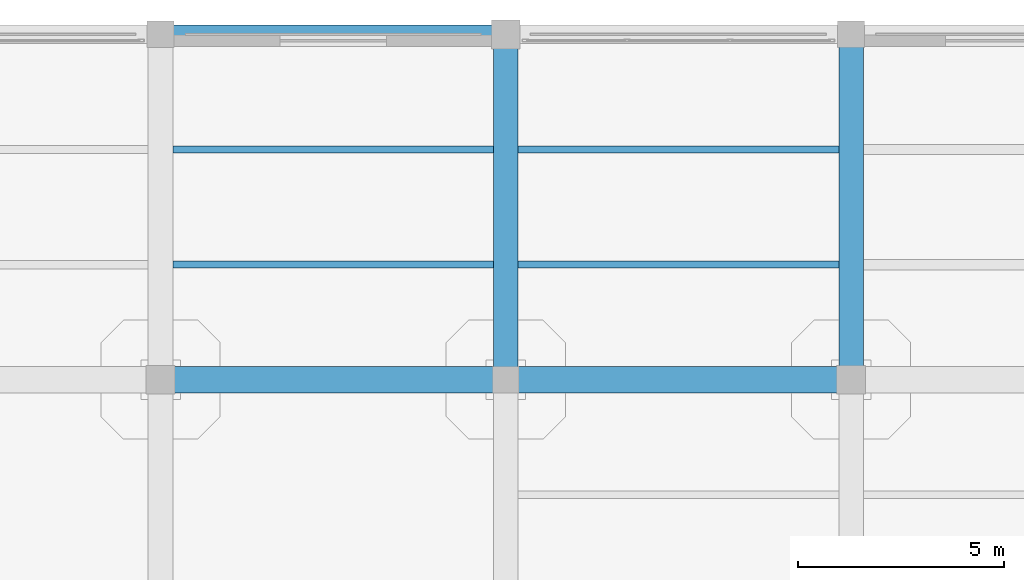
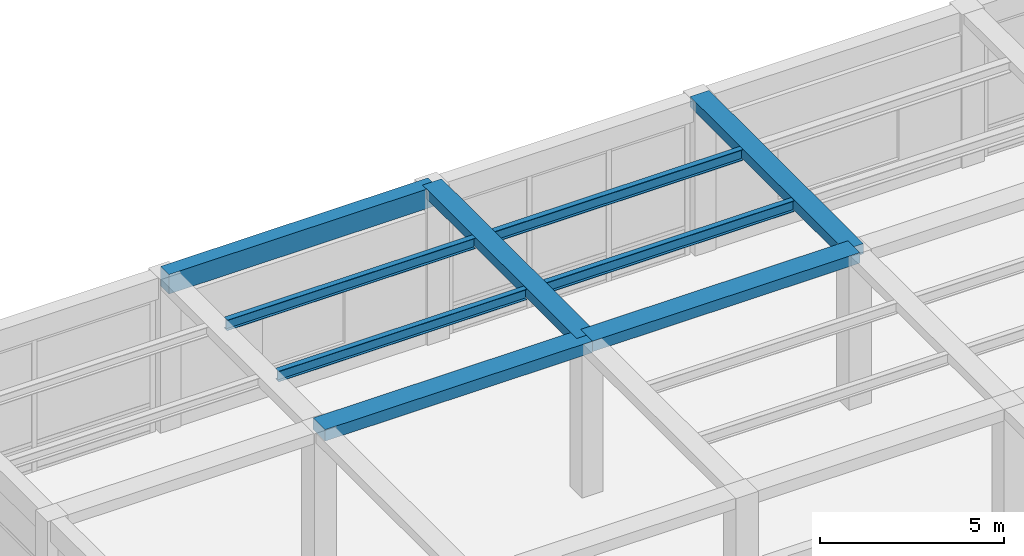
# One storey, part 36 of 96: 9 beams.
"""IFC4 building model written with IfcOpenShell, lengths in metres."""

from ifc_helpers import new_model, si_unit, direction, frame, origin, origin_2d, place, context, subcontext, project, spatial, rectangle, i_section, extrude, material, material_profile, profile_set, type_object, element, save


model = new_model("IFC4")

# Units and contexts
model_context = context("Model", 3, precision=1e-05, world=origin(), true_north=direction((0.0, 1.0)))
body_context = subcontext(model_context, "Body", "Model", "MODEL_VIEW")
ifc_project = project(units=[si_unit("LENGTHUNIT", "METRE"), si_unit("AREAUNIT", "SQUARE_METRE"), si_unit("VOLUMEUNIT", "CUBIC_METRE"), si_unit("PLANEANGLEUNIT", "RADIAN"), si_unit("MASSUNIT", "GRAM", prefix="KILO")], contexts=[model_context])

# Site, building, storey
site_placement = place(None, origin())
site = spatial("IfcSite", under=ifc_project, at=site_placement, CompositionType="ELEMENT")
building_placement = place(site_placement, origin())
building = spatial("IfcBuilding", under=site, at=building_placement, Name="Almacenes y Pasaje Nevantli", CompositionType="ELEMENT")
storey_placement = place(building_placement, frame((0.0, 0.0, 6.0)))
storey = spatial("IfcBuildingStorey", under=building, at=storey_placement, Name="L02", CompositionType="ELEMENT", Elevation=6.0)

# Beams
ifc_material_1 = material(Name="Concrete C35/45", Category="concrete")
ifc_material_profile_1 = material_profile(ifc_material_1, rectangle(XDim=0.449951171875, YDim=0.64990234375, at=origin_2d()), Name="RC-BM-450x650")
ifc_profile_set_1 = profile_set([ifc_material_profile_1], Name="Concrete C35/45")
beam_type_1 = type_object("IfcBeamType", Name="BM-RC-450x650", PredefinedType="SPANDREL", material=ifc_profile_set_1)
beam_1_placement = place(storey_placement, frame((8.39990234375, 117.60009765625, 4.77490234375), z_axis=(1.0, 0.0, 0.0), x_axis=(0.0, 1.0, 0.0)))
element("IfcBeam", 1, at=beam_1_placement, inside=storey, type_object=beam_type_1, Name="L02 East-West Reinforced Concrete Beam #1947", PredefinedType="SPANDREL", context=body_context, shape_type="SweptSolid", body=[
    extrude(rectangle(XDim=0.449951171875, YDim=0.64990234375, at=origin_2d()), origin(), (0.0, 0.0, 1.0), 8.400146484375),
])
ifc_material_2 = material(Name="Concrete C35/45", Category="concrete")
ifc_material_profile_2 = material_profile(ifc_material_2, rectangle(XDim=0.60009765625, YDim=0.320068359375, at=origin_2d()), Name="RC-BM-600x320")
ifc_profile_set_2 = profile_set([ifc_material_profile_2], Name="Concrete C35/45")
beam_type_2 = type_object("IfcBeamType", Name="BM-RC-600x320", PredefinedType="BEAM", material=ifc_profile_set_2)
beam_2_placement = place(storey_placement, frame((16.800048828125, 109.199951171875, 4.93994140625), z_axis=(0.0, 1.0, 0.0), x_axis=(-1.0, 0.0, 0.0)))
element("IfcBeam", 2, at=beam_2_placement, inside=storey, type_object=beam_type_2, Name="L02 North-South Reinforced Concrete Beam #1996", PredefinedType="BEAM", context=body_context, shape_type="SweptSolid", body=[
    extrude(rectangle(XDim=0.60009765625, YDim=0.320068359375, at=origin_2d()), origin(), (0.0, 0.0, 1.0), 8.400146484375),
])
ifc_material_3 = material(Name="Concrete C35/45", Category="concrete")
ifc_material_profile_3 = material_profile(ifc_material_3, rectangle(XDim=0.60009765625, YDim=0.340087890625, at=origin_2d()), Name="RC-BM-600x340")
ifc_profile_set_3 = profile_set([ifc_material_profile_3], Name="Concrete C35/45")
beam_type_3 = type_object("IfcBeamType", Name="BM-RC-600x340", PredefinedType="BEAM", material=ifc_profile_set_3)
beam_3_placement = place(storey_placement, frame((25.199951171875, 109.199951171875, 4.929931640625), z_axis=(0.0, 1.0, 0.0), x_axis=(-1.0, 0.0, 0.0)))
element("IfcBeam", 3, at=beam_3_placement, inside=storey, type_object=beam_type_3, Name="L02 North-South Reinforced Concrete Beam #2010", PredefinedType="BEAM", context=body_context, shape_type="SweptSolid", body=[
    extrude(rectangle(XDim=0.60009765625, YDim=0.340087890625, at=origin_2d()), origin(), (0.0, 0.0, 1.0), 8.400146484375),
])
ifc_material_4 = material(Name="Concrete C35/45", Category="concrete")
ifc_material_profile_4 = material_profile(ifc_material_4, rectangle(XDim=0.64990234375, YDim=0.35009765625, at=origin_2d()), Name="RC-BM-650x350")
ifc_profile_set_4 = profile_set([ifc_material_profile_4], Name="Concrete C35/45")
beam_type_4 = type_object("IfcBeamType", Name="BM-RC-650x350", PredefinedType="BEAM", material=ifc_profile_set_4)
beam_4_placement = place(storey_placement, frame((16.800048828125, 109.199951171875, 4.925048828125), z_axis=(1.0, 0.0, 0.0), x_axis=(0.0, 1.0, 0.0)))
element("IfcBeam", 4, at=beam_4_placement, inside=storey, type_object=beam_type_4, Name="L02 East-West Reinforced Concrete Beam #1931", PredefinedType="BEAM", context=body_context, shape_type="SweptSolid", body=[
    extrude(rectangle(XDim=0.64990234375, YDim=0.35009765625, at=origin_2d()), origin(), (0.0, 0.0, 1.0), 8.39990234375),
])
ifc_material_5 = material(Name="Concrete C35/45", Category="concrete")
ifc_material_profile_5 = material_profile(ifc_material_5, rectangle(XDim=0.64990234375, YDim=0.3798828125, at=origin_2d()), Name="RC-BM-650x380")
ifc_profile_set_5 = profile_set([ifc_material_profile_5], Name="Concrete C35/45")
beam_type_5 = type_object("IfcBeamType", Name="BM-RC-650x380", PredefinedType="BEAM", material=ifc_profile_set_5)
beam_5_placement = place(storey_placement, frame((8.39990234375, 109.199951171875, 4.909912109375), z_axis=(1.0, 0.0, 0.0), x_axis=(0.0, 1.0, 0.0)))
element("IfcBeam", 5, at=beam_5_placement, inside=storey, type_object=beam_type_5, Name="L02 East-West Reinforced Concrete Beam #1930", PredefinedType="BEAM", context=body_context, shape_type="SweptSolid", body=[
    extrude(rectangle(XDim=0.64990234375, YDim=0.3798828125, at=origin_2d()), origin(), (0.0, 0.0, 1.0), 8.400146484375),
])
ifc_material_6 = material(Name="Steel ASTM A992", Category="steel")
ifc_material_profile_6 = material_profile(ifc_material_6, i_section(OverallWidth=0.173095703125, OverallDepth=0.35302734375, WebThickness=0.0078125, FlangeThickness=0.01318359375, at=origin_2d()), Name="IR 356x56.6")
ifc_profile_set_6 = profile_set([ifc_material_profile_6], Name="Steel ASTM A992")
beam_type_6 = type_object("IfcBeamType", Name="BM-STL-IR-356x56p6", PredefinedType="JOIST", material=ifc_profile_set_6)
for number, where, z_axis, x_axis, name in (
    (6, (8.699951171875, 112.0, 4.91552734375), (1.0, 0.0, 0.0), (0.0, 1.0, 0.0), "L02 Secondary Steel Floor Joist #341"),
    (7, (8.699951171875, 114.800048828125, 4.91552734375), (1.0, 0.0, 0.0), (0.0, 1.0, 0.0), "L02 Secondary Steel Floor Joist #342"),
):
    element("IfcBeam", number, at=place(storey_placement, frame(where, z_axis=z_axis, x_axis=x_axis)), inside=storey, type_object=beam_type_6, Name=name, PredefinedType="JOIST", context=body_context, shape_type="SweptSolid", body=[
        extrude(i_section(OverallWidth=0.173095703125, OverallDepth=0.35302734375, WebThickness=0.0078125, FlangeThickness=0.01318359375, at=origin_2d()), origin(), (0.0, 0.0, 1.0), 7.800048828125),
    ])
ifc_material_7 = material(Name="Steel ASTM A992", Category="steel")
ifc_material_profile_7 = material_profile(ifc_material_7, i_section(OverallWidth=0.173095703125, OverallDepth=0.364013671875, WebThickness=0.009033203125, FlangeThickness=0.015625, at=origin_2d()), Name="IR 356x67.0")
ifc_profile_set_7 = profile_set([ifc_material_profile_7], Name="Steel ASTM A992")
beam_type_7 = type_object("IfcBeamType", Name="BM-STL-IR-356x67p0", PredefinedType="JOIST", material=ifc_profile_set_7)
for number, where, z_axis, x_axis, name in (
    (8, (17.10009765625, 112.0, 4.909912109375), (1.0, 0.0, 0.0), (0.0, 1.0, 0.0), "L02 Secondary Steel Floor Joist #357"),
    (9, (17.10009765625, 114.800048828125, 4.909912109375), (1.0, 0.0, 0.0), (0.0, 1.0, 0.0), "L02 Secondary Steel Floor Joist #358"),
):
    element("IfcBeam", number, at=place(storey_placement, frame(where, z_axis=z_axis, x_axis=x_axis)), inside=storey, type_object=beam_type_7, Name=name, PredefinedType="JOIST", context=body_context, shape_type="SweptSolid", body=[
        extrude(i_section(OverallWidth=0.173095703125, OverallDepth=0.364013671875, WebThickness=0.009033203125, FlangeThickness=0.015625, at=origin_2d()), origin(), (0.0, 0.0, 1.0), 7.7998046875),
    ])

save(model, "model.ifc")
